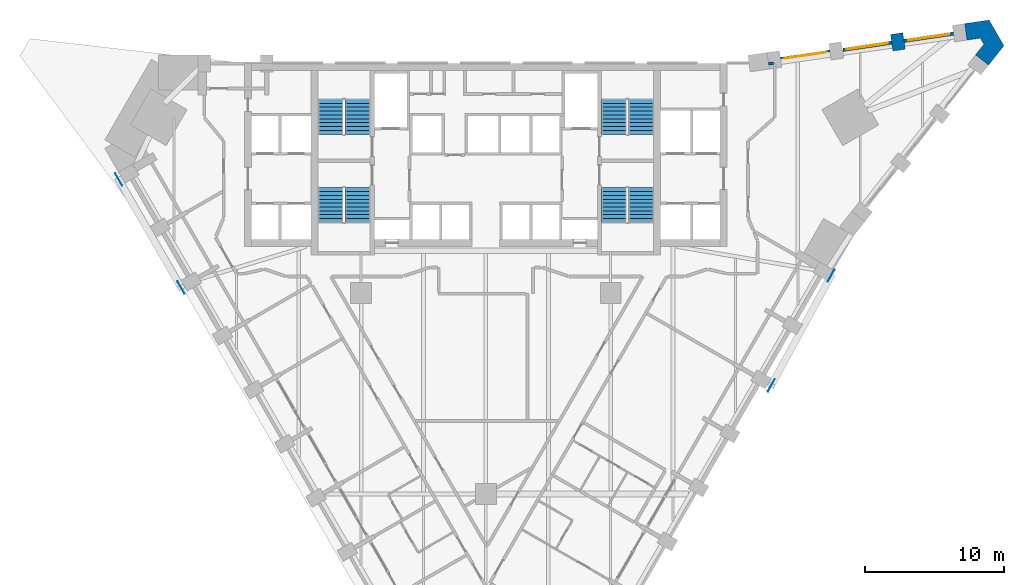
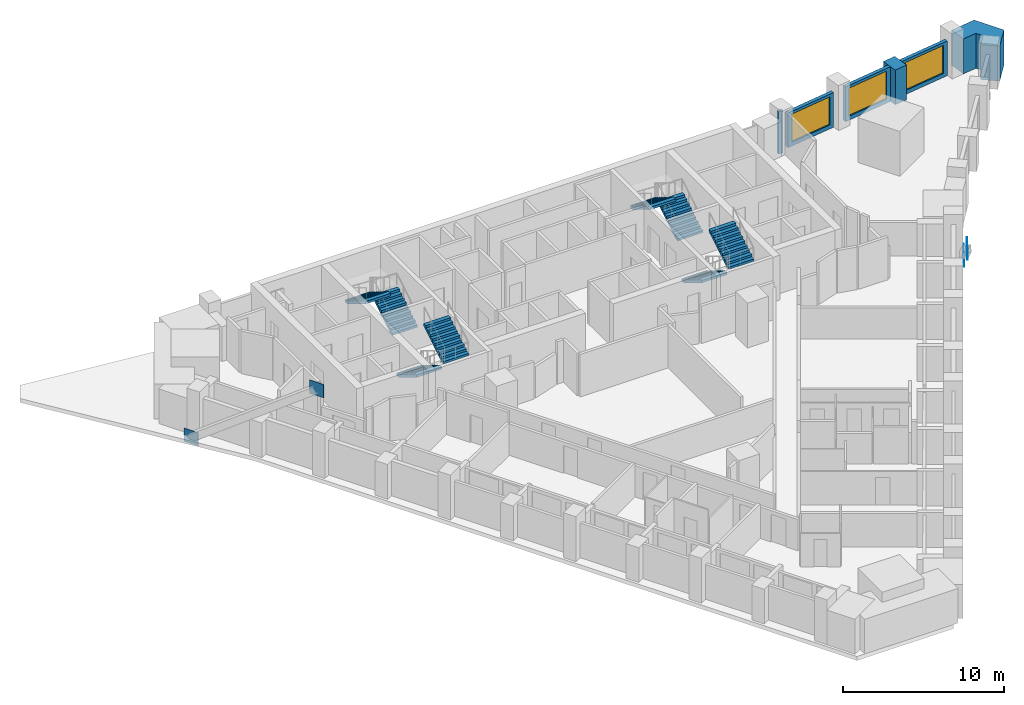
# One storey, part 9 of 10: 8 stair flights, 6 walls, 4 discrete accessories, 3 windows, 3 openings, 4 elements without a shape of their own.
"""IFC4 building model written with IfcOpenShell, lengths in metres."""

from ifc_helpers import new_model, si_unit, direction, frame, frame_2d, origin, origin_2d, place, context, subcontext, project, spatial, polyline, rectangle, outline, extrude, faceted_brep, source, transform, mapped, material, layer, layer_set, type_object, element, fill, aggregate, save


model = new_model("IFC4")

# Units and contexts
model_context = context("Model", 3, precision=1e-05, world=origin(), true_north=direction((0.0, 1.0)))
body_context = subcontext(model_context, "Body", "Model", "MODEL_VIEW")
ifc_project = project(units=[si_unit("LENGTHUNIT", "METRE"), si_unit("AREAUNIT", "SQUARE_METRE"), si_unit("VOLUMEUNIT", "CUBIC_METRE"), si_unit("PLANEANGLEUNIT", "RADIAN"), si_unit("MASSUNIT", "GRAM", prefix="KILO")], contexts=[model_context])

# Site, building, storey
site_placement = place(None, origin())
site = spatial("IfcSite", under=ifc_project, at=site_placement, CompositionType="ELEMENT")
building_placement = place(site_placement, origin())
building = spatial("IfcBuilding", under=site, at=building_placement, Name="Calabash Gate Tower", CompositionType="ELEMENT")
storey_placement = place(building_placement, frame((0.0, 0.0, 91.800048828125)))
storey = spatial("IfcBuildingStorey", under=building, at=storey_placement, Name="L19", CompositionType="ELEMENT", Elevation=91.800048828125)

# Walls
ifc_material_1 = material(Name="Terracotta brick masonry, exposed face", Category="masonry")
ifc_layer_1 = layer(ifc_material_1, 1.199951171875)
ifc_layer_set_1 = layer_set([ifc_layer_1], Name="Brick end wall 1200")
wall_type_1 = type_object("IfcWallType", Name="Brick end wall 1200", PredefinedType="SOLIDWALL", material=ifc_layer_set_1)
wall_1_placement = place(storey_placement, frame((29.63037109375, 21.217041015625, 0.0), z_axis=(0.0, 0.0, 1.0), x_axis=(0.144867198998, -0.989451107764, 0.0)))
element("IfcWall", 1, at=wall_1_placement, inside=storey, type_object=wall_type_1, Name="Brick pier S05 wedge5.1", PredefinedType="SOLIDWALL", context=body_context, shape_type="SweptSolid", body=[
    extrude(rectangle(XDim=1.199951171875, YDim=0.89990234375, at=frame_2d((0.60009765625, 0.0))), origin(), (0.0, 0.0, 1.0), 2.6298828125),
])
wall_2_placement = place(storey_placement, origin())
element("IfcWall", 2, at=wall_2_placement, inside=storey, type_object=wall_type_1, Name="Brick end wall S05 2", PredefinedType="SOLIDWALL", context=body_context, shape_type="SweptSolid", body=[
    extrude(outline(polyline([(35.92333984375, 20.443359375), (35.31884765625, 19.678955078125), (36.260009765625, 18.9345703125), (37.369873046875, 20.337890625), (36.298095703125, 22.1943359375), (34.5283203125, 21.934814453125), (34.701904296875, 20.74755859375), (35.666259765625, 20.888916015625), (35.92333984375, 20.443359375)])), origin(), (0.0, 0.0, 1.0), 2.64990234375),
])
ifc_material_2 = material(Name="Gypsum board on steel studs, mineral wool", Category="steel")
ifc_layer_2 = layer(ifc_material_2, 0.199951171875)
ifc_layer_set_2 = layer_set([ifc_layer_2], Name="Partition 200 gypsum board EI 60")
wall_type_2 = type_object("IfcWallType", Name="Partition 200 gypsum board EI 60", PredefinedType="PARTITIONING", material=ifc_layer_set_2)
wall_3_placement = place(storey_placement, frame((20.39599609375, 19.052734375, 0.0), z_axis=(0.0, 0.0, 1.0), x_axis=(1.0, 0.0, 0.0)))
element("IfcWall", 3, at=wall_3_placement, inside=storey, type_object=wall_type_2, Name="Partition", PredefinedType="PARTITIONING", context=body_context, shape_type="SweptSolid", body=[
    extrude(rectangle(XDim=0.331298828125, YDim=0.199951171875, at=frame_2d((0.16552734375, 0.0))), origin(), (0.0, 0.0, 1.0), 3.22998046875),
])

# Wall, opening, window
ifc_material_3 = material(Name="Aluminium framed window wall with insulated spandrel", Category="aluminium")
ifc_layer_3 = layer(ifc_material_3, 0.25)
ifc_layer_set_3 = layer_set([ifc_layer_3], Name="Prow window wall 250")
wall_type_3 = type_object("IfcWallType", Name="Prow window wall 250", PredefinedType="ELEMENTEDWALL", material=ifc_layer_set_3)
wall_4_placement = place(storey_placement, frame((33.724609375, 21.210693359375, 0.0), z_axis=(0.0, 0.0, 1.0), x_axis=(-0.98942335115, -0.145056651687, 0.0)))
wall_4 = element("IfcWall", 4, at=wall_4_placement, inside=storey, type_object=wall_type_3, Name="Prow window wall S05 wedge5.1", PredefinedType="ELEMENTEDWALL", context=body_context, shape_type="SweptSolid", body=[
    extrude(rectangle(XDim=3.60009765625, YDim=0.25, at=frame_2d((1.800048828125, 0.0))), origin(), (0.0, 0.0, 1.0), 2.6298828125),
])
opening_1_placement = place(wall_4_placement, frame((0.300048828125, 0.0, 0.300048828125)))
opening_1 = element("IfcOpeningElement", 5, at=opening_1_placement, cuts=wall_4, Name="Opening WP1L-2130", PredefinedType="OPENING", context=body_context, shape_type="SweptSolid", body=[
    extrude(rectangle(XDim=3.0, YDim=2.1298828125, at=frame_2d((1.5, 1.06494140625))), frame((0.0, 0.135009765625, 0.0), z_axis=(0.0, -1.0, 0.0), x_axis=(1.0, 0.0, 0.0)), (0.0, 0.0, 1.0), 0.27001953125),
])
ifc_material_4 = material(Name="Anodised aluminium frame, bronze finish, impact-rated laminated clear glazing", Category="aluminium")
window_type = type_object("IfcWindowType", Name="Window WP1L 3000x2130", PartitioningType="DOUBLE_PANEL_VERTICAL", PredefinedType="WINDOW", material=ifc_material_4)
window_1_placement = place(opening_1_placement, origin())
window_1 = element("IfcWindow", 6, at=window_1_placement, inside=storey, type_object=window_type, Name="Prow window WP1L S05 wedge5.1", OverallHeight=2.1298828125, OverallWidth=3.0, PartitioningType="SINGLE_PANEL", PredefinedType="WINDOW", context=body_context, shape_type="SweptSolid", body=[
    extrude(rectangle(XDim=3.0, YDim=2.1298828125, at=frame_2d((1.5, 1.06494140625))), frame((0.0, 0.030029296875, 0.0), z_axis=(0.0, -1.0, 0.0), x_axis=(1.0, 0.0, 0.0)), (0.0, 0.0, 1.0), 0.06005859375),
])
fill(opening_1, window_1)

wall_5_placement = place(storey_placement, frame((29.27392578125, 20.558349609375, 0.0), z_axis=(0.0, 0.0, 1.0), x_axis=(-0.989427410985, -0.145028957081, 0.0)))
wall_5 = element("IfcWall", 7, at=wall_5_placement, inside=storey, type_object=wall_type_3, Name="Prow window wall S05 wedge5.2", PredefinedType="ELEMENTEDWALL", context=body_context, shape_type="SweptSolid", body=[
    extrude(rectangle(XDim=3.552001953125, YDim=0.25, at=frame_2d((1.77587890625, 0.0))), origin(), (0.0, 0.0, 1.0), 2.6298828125),
])
opening_2_placement = place(wall_5_placement, frame((0.302001953125, 0.0, 0.300048828125)))
opening_2 = element("IfcOpeningElement", 8, at=opening_2_placement, cuts=wall_5, Name="Opening WP1L-2130", PredefinedType="OPENING", context=body_context, shape_type="SweptSolid", body=[
    extrude(rectangle(XDim=3.0, YDim=2.1298828125, at=frame_2d((1.5, 1.06494140625))), frame((0.0, 0.135009765625, 0.0), z_axis=(0.0, -1.0, 0.0), x_axis=(1.0, 0.0, 0.0)), (0.0, 0.0, 1.0), 0.27001953125),
])
window_2_placement = place(opening_2_placement, origin())
window_2 = element("IfcWindow", 9, at=window_2_placement, inside=storey, type_object=window_type, Name="Prow window WP1L S05 wedge5.2", OverallHeight=2.1298828125, OverallWidth=3.0, PartitioningType="SINGLE_PANEL", PredefinedType="WINDOW", context=body_context, shape_type="SweptSolid", body=[
    extrude(rectangle(XDim=3.0, YDim=2.1298828125, at=frame_2d((1.5, 1.06494140625))), frame((0.0, 0.030029296875, 0.0), z_axis=(0.0, -1.0, 0.0), x_axis=(1.0, 0.0, 0.0)), (0.0, 0.0, 1.0), 0.06005859375),
])
fill(opening_2, window_2)

wall_6_placement = place(storey_placement, frame((24.819580078125, 19.905517578125, 0.0), z_axis=(0.0, 0.0, 1.0), x_axis=(-0.989433082017, -0.144990262464, 0.0)))
wall_6 = element("IfcWall", 10, at=wall_6_placement, inside=storey, type_object=wall_type_3, Name="Prow window wall S05 wedge5.3", PredefinedType="ELEMENTEDWALL", context=body_context, shape_type="SweptSolid", body=[
    extrude(rectangle(XDim=3.60009765625, YDim=0.25, at=frame_2d((1.800048828125, 0.0))), origin(), (0.0, 0.0, 1.0), 2.6298828125),
])
opening_3_placement = place(wall_6_placement, frame((0.300048828125, 0.0, 0.300048828125)))
opening_3 = element("IfcOpeningElement", 11, at=opening_3_placement, cuts=wall_6, Name="Opening WP1L-2130", PredefinedType="OPENING", context=body_context, shape_type="SweptSolid", body=[
    extrude(rectangle(XDim=3.0, YDim=2.1298828125, at=frame_2d((1.5, 1.06494140625))), frame((0.0, 0.135009765625, 0.0), z_axis=(0.0, -1.0, 0.0), x_axis=(1.0, 0.0, 0.0)), (0.0, 0.0, 1.0), 0.27001953125),
])
window_3_placement = place(opening_3_placement, origin())
window_3 = element("IfcWindow", 12, at=window_3_placement, inside=storey, type_object=window_type, Name="Prow window WP1L S05 wedge5.3", OverallHeight=2.1298828125, OverallWidth=3.0, PartitioningType="SINGLE_PANEL", PredefinedType="WINDOW", context=body_context, shape_type="SweptSolid", body=[
    extrude(rectangle(XDim=3.0, YDim=2.1298828125, at=frame_2d((1.5, 1.06494140625))), frame((0.0, 0.030029296875, 0.0), z_axis=(0.0, -1.0, 0.0), x_axis=(1.0, 0.0, 0.0)), (0.0, 0.0, 1.0), 0.06005859375),
])
fill(opening_3, window_3)

# Stair, stair flights
ifc_material_5 = material(Name="Concrete C40/50", Category="concrete")
stair_type = type_object("IfcStairType", Name="Exit stair 20 risers of 170 mm", PredefinedType="HALF_TURN_STAIR", material=ifc_material_5)
stair_1_placement = place(storey_placement, origin())
stair_1 = element("IfcStair", 13, at=stair_1_placement, inside=storey, type_object=stair_type, Name="L19 Exit stair ST1", PredefinedType="HALF_TURN_STAIR")
ifc_material_6 = material(Name="Concrete C40/50", Category="concrete")
stair_flight_type = type_object("IfcStairFlightType", Name="Exit stair flight SFL", PredefinedType="STRAIGHT", material=ifc_material_6)
shared_shape = source(origin(), body_context, "Body", "Brep", [
    faceted_brep([(-0.0009765625, -0.89990234375, 0.0), (0.2880859375, -0.89990234375, 0.0), (2.511962890625, -0.89990234375, 1.3544921875), (-0.0009765625, 0.89990234375, 0.0), (2.511962890625, 0.89990234375, 1.3544921875), (0.2880859375, 0.89990234375, 0.0), (2.511962890625, -0.89990234375, 1.5419921875), (2.510986328125, -0.89990234375, 1.5419921875), (2.510986328125, 0.89990234375, 1.5419921875), (2.511962890625, 0.89990234375, 1.5419921875), (2.510986328125, -0.89990234375, 1.530029296875), (2.510986328125, 0.89990234375, 1.530029296875), (2.23193359375, -0.89990234375, 1.530029296875), (2.23193359375, 0.89990234375, 1.530029296875), (2.23193359375, -0.89990234375, 1.360107421875), (2.23193359375, 0.89990234375, 1.360107421875), (1.952880859375, -0.89990234375, 1.360107421875), (1.952880859375, 0.89990234375, 1.360107421875), (1.952880859375, -0.89990234375, 1.18994140625), (1.952880859375, 0.89990234375, 1.18994140625), (1.674072265625, -0.89990234375, 1.18994140625), (1.674072265625, -0.89990234375, 1.02001953125), (1.674072265625, 0.89990234375, 1.02001953125), (1.674072265625, 0.89990234375, 1.18994140625), (1.39501953125, -0.89990234375, 1.02001953125), (1.39501953125, -0.89990234375, 0.85009765625), (1.39501953125, 0.89990234375, 0.85009765625), (1.39501953125, 0.89990234375, 1.02001953125), (1.115966796875, -0.89990234375, 0.85009765625), (1.115966796875, -0.89990234375, 0.679931640625), (1.115966796875, 0.89990234375, 0.679931640625), (1.115966796875, 0.89990234375, 0.85009765625), (0.8369140625, -0.89990234375, 0.679931640625), (0.8369140625, -0.89990234375, 0.510009765625), (0.8369140625, 0.89990234375, 0.510009765625), (0.8369140625, 0.89990234375, 0.679931640625), (0.55810546875, -0.89990234375, 0.510009765625), (0.55810546875, -0.89990234375, 0.340087890625), (0.55810546875, 0.89990234375, 0.340087890625), (0.55810546875, 0.89990234375, 0.510009765625), (0.279052734375, -0.89990234375, 0.340087890625), (0.279052734375, -0.89990234375, 0.169921875), (0.279052734375, 0.89990234375, 0.169921875), (0.279052734375, 0.89990234375, 0.340087890625), (-0.0009765625, -0.89990234375, 0.169921875), (-0.0009765625, 0.89990234375, 0.169921875), (0.2880859375, -0.360107421875, 0.0), (2.511962890625, -0.360107421875, 1.3544921875), (0.2880859375, -0.179931640625, 0.0), (2.511962890625, -0.179931640625, 1.3544921875), (0.2880859375, 0.0, 0.0), (2.511962890625, 0.0, 1.3544921875), (0.2880859375, 0.179931640625, 0.0), (2.511962890625, 0.179931640625, 1.3544921875), (0.2880859375, 0.360107421875, 0.0), (2.511962890625, 0.360107421875, 1.3544921875), (2.511962890625, -0.360107421875, 1.5419921875), (2.511962890625, -0.179931640625, 1.5419921875), (2.511962890625, 0.0, 1.5419921875), (2.511962890625, 0.179931640625, 1.5419921875), (2.511962890625, 0.360107421875, 1.5419921875), (2.510986328125, -0.360107421875, 1.5419921875), (2.510986328125, -0.179931640625, 1.5419921875), (2.510986328125, 0.0, 1.5419921875), (2.510986328125, 0.179931640625, 1.5419921875), (2.510986328125, 0.360107421875, 1.5419921875), (2.510986328125, -0.360107421875, 1.530029296875), (2.510986328125, -0.179931640625, 1.530029296875), (2.510986328125, 0.0, 1.530029296875), (2.510986328125, 0.179931640625, 1.530029296875), (2.510986328125, 0.360107421875, 1.530029296875), (2.23193359375, -0.360107421875, 1.530029296875), (2.23193359375, -0.179931640625, 1.530029296875), (2.23193359375, 0.0, 1.530029296875), (2.23193359375, 0.179931640625, 1.530029296875), (2.23193359375, 0.360107421875, 1.530029296875), (2.23193359375, -0.360107421875, 1.360107421875), (2.23193359375, -0.179931640625, 1.360107421875), (2.23193359375, 0.0, 1.360107421875), (2.23193359375, 0.179931640625, 1.360107421875), (2.23193359375, 0.360107421875, 1.360107421875), (1.952880859375, -0.360107421875, 1.360107421875), (1.952880859375, -0.179931640625, 1.360107421875), (1.952880859375, 0.0, 1.360107421875), (1.952880859375, 0.179931640625, 1.360107421875), (1.952880859375, 0.360107421875, 1.360107421875), (1.952880859375, -0.360107421875, 1.18994140625), (1.952880859375, -0.179931640625, 1.18994140625), (1.952880859375, 0.0, 1.18994140625), (1.952880859375, 0.179931640625, 1.18994140625), (1.952880859375, 0.360107421875, 1.18994140625), (1.674072265625, -0.360107421875, 1.18994140625), (1.674072265625, -0.179931640625, 1.18994140625), (1.674072265625, 0.0, 1.18994140625), (1.674072265625, 0.179931640625, 1.18994140625), (1.674072265625, 0.360107421875, 1.18994140625), (1.674072265625, -0.360107421875, 1.02001953125), (1.674072265625, -0.179931640625, 1.02001953125), (1.674072265625, 0.0, 1.02001953125), (1.674072265625, 0.179931640625, 1.02001953125), (1.674072265625, 0.360107421875, 1.02001953125), (1.39501953125, -0.360107421875, 1.02001953125), (1.39501953125, -0.179931640625, 1.02001953125), (1.39501953125, 0.0, 1.02001953125), (1.39501953125, 0.179931640625, 1.02001953125), (1.39501953125, 0.360107421875, 1.02001953125), (1.39501953125, -0.360107421875, 0.85009765625), (1.39501953125, -0.179931640625, 0.85009765625), (1.39501953125, 0.0, 0.85009765625), (1.39501953125, 0.179931640625, 0.85009765625), (1.39501953125, 0.360107421875, 0.85009765625), (1.115966796875, -0.360107421875, 0.85009765625), (1.115966796875, -0.179931640625, 0.85009765625), (1.115966796875, 0.0, 0.85009765625), (1.115966796875, 0.179931640625, 0.85009765625), (1.115966796875, 0.360107421875, 0.85009765625), (1.115966796875, -0.360107421875, 0.679931640625), (1.115966796875, -0.179931640625, 0.679931640625), (1.115966796875, 0.0, 0.679931640625), (1.115966796875, 0.179931640625, 0.679931640625), (1.115966796875, 0.360107421875, 0.679931640625), (0.8369140625, -0.360107421875, 0.679931640625), (0.8369140625, -0.179931640625, 0.679931640625), (0.8369140625, 0.0, 0.679931640625), (0.8369140625, 0.179931640625, 0.679931640625), (0.8369140625, 0.360107421875, 0.679931640625), (0.8369140625, -0.360107421875, 0.510009765625), (0.8369140625, -0.179931640625, 0.510009765625), (0.8369140625, 0.0, 0.510009765625), (0.8369140625, 0.179931640625, 0.510009765625), (0.8369140625, 0.360107421875, 0.510009765625), (0.55810546875, -0.360107421875, 0.510009765625), (0.55810546875, -0.179931640625, 0.510009765625), (0.55810546875, 0.0, 0.510009765625), (0.55810546875, 0.179931640625, 0.510009765625), (0.55810546875, 0.360107421875, 0.510009765625), (0.55810546875, -0.360107421875, 0.340087890625), (0.55810546875, -0.179931640625, 0.340087890625), (0.55810546875, 0.0, 0.340087890625), (0.55810546875, 0.179931640625, 0.340087890625), (0.55810546875, 0.360107421875, 0.340087890625), (0.279052734375, -0.360107421875, 0.340087890625), (0.279052734375, -0.179931640625, 0.340087890625), (0.279052734375, 0.0, 0.340087890625), (0.279052734375, 0.179931640625, 0.340087890625), (0.279052734375, 0.360107421875, 0.340087890625), (0.279052734375, -0.360107421875, 0.169921875), (0.279052734375, -0.179931640625, 0.169921875), (0.279052734375, 0.0, 0.169921875), (0.279052734375, 0.179931640625, 0.169921875), (0.279052734375, 0.360107421875, 0.169921875), (-0.0009765625, -0.360107421875, 0.169921875), (-0.0009765625, -0.179931640625, 0.169921875), (-0.0009765625, 0.0, 0.169921875), (-0.0009765625, 0.179931640625, 0.169921875), (-0.0009765625, 0.360107421875, 0.169921875), (-0.0009765625, -0.360107421875, 0.0), (-0.0009765625, -0.179931640625, 0.0), (-0.0009765625, 0.0, 0.0), (-0.0009765625, 0.179931640625, 0.0), (-0.0009765625, 0.360107421875, 0.0)], [[[0, 1, 2]], [[3, 4, 5]], [[2, 6, 7]], [[4, 8, 9]], [[2, 7, 10]], [[4, 11, 8]], [[2, 10, 12]], [[4, 13, 11]], [[2, 12, 14]], [[4, 15, 13]], [[2, 14, 16]], [[4, 17, 15]], [[2, 16, 18]], [[4, 19, 17]], [[18, 20, 21]], [[19, 22, 23]], [[2, 18, 21]], [[4, 22, 19]], [[21, 24, 25]], [[22, 26, 27]], [[2, 21, 25]], [[4, 26, 22]], [[25, 28, 29]], [[26, 30, 31]], [[2, 25, 29]], [[4, 30, 26]], [[29, 32, 33]], [[30, 34, 35]], [[2, 29, 33]], [[4, 34, 30]], [[33, 36, 37]], [[34, 38, 39]], [[2, 33, 37]], [[4, 38, 34]], [[37, 40, 41]], [[38, 42, 43]], [[2, 37, 41]], [[4, 42, 38]], [[0, 2, 41]], [[3, 42, 4]], [[41, 44, 0]], [[42, 3, 45]], [[1, 46, 2]], [[46, 47, 2]], [[46, 48, 47]], [[48, 49, 47]], [[48, 50, 49]], [[50, 51, 49]], [[50, 52, 53]], [[50, 53, 51]], [[52, 54, 55]], [[52, 55, 53]], [[54, 5, 4]], [[54, 4, 55]], [[2, 47, 6]], [[47, 56, 6]], [[47, 49, 56]], [[49, 57, 56]], [[49, 51, 57]], [[51, 58, 57]], [[51, 53, 59]], [[51, 59, 58]], [[53, 55, 60]], [[53, 60, 59]], [[55, 4, 9]], [[55, 9, 60]], [[6, 56, 7]], [[56, 61, 7]], [[56, 57, 61]], [[57, 62, 61]], [[57, 58, 62]], [[58, 63, 62]], [[58, 59, 64]], [[58, 64, 63]], [[59, 60, 65]], [[59, 65, 64]], [[60, 9, 8]], [[60, 8, 65]], [[7, 61, 10]], [[61, 66, 10]], [[61, 62, 66]], [[62, 67, 66]], [[62, 63, 67]], [[63, 68, 67]], [[63, 64, 69]], [[63, 69, 68]], [[64, 65, 70]], [[64, 70, 69]], [[65, 8, 11]], [[65, 11, 70]], [[10, 66, 12]], [[66, 71, 12]], [[66, 67, 71]], [[67, 72, 71]], [[67, 68, 72]], [[68, 73, 72]], [[68, 69, 74]], [[68, 74, 73]], [[69, 70, 75]], [[69, 75, 74]], [[70, 11, 13]], [[70, 13, 75]], [[12, 71, 14]], [[71, 76, 14]], [[71, 72, 76]], [[72, 77, 76]], [[72, 73, 77]], [[73, 78, 77]], [[73, 74, 79]], [[73, 79, 78]], [[74, 75, 80]], [[74, 80, 79]], [[75, 13, 15]], [[75, 15, 80]], [[14, 76, 16]], [[76, 81, 16]], [[76, 77, 81]], [[77, 82, 81]], [[77, 78, 82]], [[78, 83, 82]], [[78, 79, 84]], [[78, 84, 83]], [[79, 80, 85]], [[79, 85, 84]], [[80, 15, 17]], [[80, 17, 85]], [[16, 81, 18]], [[81, 86, 18]], [[81, 82, 86]], [[82, 87, 86]], [[82, 83, 87]], [[83, 88, 87]], [[83, 84, 89]], [[83, 89, 88]], [[84, 85, 90]], [[84, 90, 89]], [[85, 17, 19]], [[85, 19, 90]], [[18, 86, 20]], [[86, 91, 20]], [[86, 87, 91]], [[87, 92, 91]], [[87, 88, 92]], [[88, 93, 92]], [[88, 89, 94]], [[88, 94, 93]], [[89, 90, 95]], [[89, 95, 94]], [[90, 19, 23]], [[90, 23, 95]], [[20, 91, 21]], [[91, 96, 21]], [[91, 92, 96]], [[92, 97, 96]], [[92, 93, 97]], [[93, 98, 97]], [[93, 94, 99]], [[93, 99, 98]], [[94, 95, 100]], [[94, 100, 99]], [[95, 23, 22]], [[95, 22, 100]], [[21, 96, 24]], [[96, 101, 24]], [[96, 97, 101]], [[97, 102, 101]], [[97, 98, 102]], [[98, 103, 102]], [[98, 99, 104]], [[98, 104, 103]], [[99, 100, 105]], [[99, 105, 104]], [[100, 22, 27]], [[100, 27, 105]], [[24, 101, 25]], [[101, 106, 25]], [[101, 102, 106]], [[102, 107, 106]], [[102, 103, 107]], [[103, 108, 107]], [[103, 104, 109]], [[103, 109, 108]], [[104, 105, 110]], [[104, 110, 109]], [[105, 27, 26]], [[105, 26, 110]], [[25, 106, 28]], [[106, 111, 28]], [[106, 107, 111]], [[107, 112, 111]], [[107, 108, 112]], [[108, 113, 112]], [[108, 109, 114]], [[108, 114, 113]], [[109, 110, 115]], [[109, 115, 114]], [[110, 26, 31]], [[110, 31, 115]], [[28, 111, 29]], [[111, 116, 29]], [[111, 112, 116]], [[112, 117, 116]], [[112, 113, 117]], [[113, 118, 117]], [[113, 114, 119]], [[113, 119, 118]], [[114, 115, 120]], [[114, 120, 119]], [[115, 31, 30]], [[115, 30, 120]], [[29, 116, 32]], [[116, 121, 32]], [[116, 117, 121]], [[117, 122, 121]], [[117, 118, 122]], [[118, 123, 122]], [[118, 119, 124]], [[118, 124, 123]], [[119, 120, 125]], [[119, 125, 124]], [[120, 30, 35]], [[120, 35, 125]], [[32, 121, 33]], [[121, 126, 33]], [[121, 122, 126]], [[122, 127, 126]], [[122, 123, 127]], [[123, 128, 127]], [[123, 124, 129]], [[123, 129, 128]], [[124, 125, 130]], [[124, 130, 129]], [[125, 35, 34]], [[125, 34, 130]], [[33, 126, 36]], [[126, 131, 36]], [[126, 127, 131]], [[127, 132, 131]], [[127, 128, 132]], [[128, 133, 132]], [[128, 129, 134]], [[128, 134, 133]], [[129, 130, 135]], [[129, 135, 134]], [[130, 34, 39]], [[130, 39, 135]], [[36, 131, 37]], [[131, 136, 37]], [[131, 132, 136]], [[132, 137, 136]], [[132, 133, 137]], [[133, 138, 137]], [[133, 134, 139]], [[133, 139, 138]], [[134, 135, 140]], [[134, 140, 139]], [[135, 39, 38]], [[135, 38, 140]], [[37, 136, 40]], [[136, 141, 40]], [[136, 137, 141]], [[137, 142, 141]], [[137, 138, 142]], [[138, 143, 142]], [[138, 139, 144]], [[138, 144, 143]], [[139, 140, 145]], [[139, 145, 144]], [[140, 38, 43]], [[140, 43, 145]], [[40, 141, 41]], [[141, 146, 41]], [[141, 142, 146]], [[142, 147, 146]], [[142, 143, 147]], [[143, 148, 147]], [[143, 144, 149]], [[143, 149, 148]], [[144, 145, 150]], [[144, 150, 149]], [[145, 43, 42]], [[145, 42, 150]], [[41, 146, 44]], [[146, 151, 44]], [[146, 147, 151]], [[147, 152, 151]], [[147, 148, 152]], [[148, 153, 152]], [[148, 149, 154]], [[148, 154, 153]], [[149, 150, 155]], [[149, 155, 154]], [[150, 42, 45]], [[150, 45, 155]], [[44, 151, 0]], [[151, 156, 0]], [[151, 152, 156]], [[152, 157, 156]], [[152, 153, 157]], [[153, 158, 157]], [[153, 154, 159]], [[153, 159, 158]], [[154, 155, 160]], [[154, 160, 159]], [[155, 45, 3]], [[155, 3, 160]], [[0, 156, 1]], [[156, 46, 1]], [[156, 157, 46]], [[157, 48, 46]], [[157, 158, 48]], [[158, 50, 48]], [[158, 159, 52]], [[158, 52, 50]], [[159, 160, 54]], [[159, 54, 52]], [[160, 3, 5]], [[160, 5, 54]]]),
])
stair_flight_1_placement = place(storey_placement, frame((-9.25, 13.95263671875, 0.0), z_axis=(0.0, 0.0, 1.0), x_axis=(0.0, 1.0, 0.0)))
stair_flight_1 = element("IfcStairFlight", 14, at=stair_flight_1_placement, type_object=stair_flight_type, Name="ST1 flight 1", NumberOfRisers=10, NumberOfTreads=9, PredefinedType="STRAIGHT", RiserHeight=0.17, TreadLength=0.279, context=body_context, shape_type="MappedRepresentation", body=[
    mapped(shared_shape, transform((0.0, 0.0, 0.0), scale=1.0)),
])
stair_flight_2_placement = place(storey_placement, frame((-11.199951171875, 16.463623046875, 1.699951171875), z_axis=(0.0, 0.0, 1.0), x_axis=(0.0, -1.0, 0.0)))
stair_flight_2 = element("IfcStairFlight", 15, at=stair_flight_2_placement, type_object=stair_flight_type, Name="ST1 flight 2", NumberOfRisers=10, NumberOfTreads=9, PredefinedType="STRAIGHT", RiserHeight=0.17, TreadLength=0.279, context=body_context, shape_type="MappedRepresentation", body=[
    mapped(shared_shape, transform((0.0, 0.0, 0.0), scale=1.0)),
])
aggregate(stair_1, [stair_flight_1, stair_flight_2])

stair_2_placement = place(storey_placement, origin())
stair_2 = element("IfcStair", 16, at=stair_2_placement, inside=storey, type_object=stair_type, Name="L19 Exit stair ST2", PredefinedType="HALF_TURN_STAIR")
stair_flight_3_placement = place(storey_placement, frame((-11.199951171875, 10.1025390625, 0.0), z_axis=(0.0, 0.0, 1.0), x_axis=(0.0, -1.0, 0.0)))
stair_flight_3 = element("IfcStairFlight", 17, at=stair_flight_3_placement, type_object=stair_flight_type, Name="ST2 flight 1", NumberOfRisers=10, NumberOfTreads=9, PredefinedType="STRAIGHT", RiserHeight=0.17, TreadLength=0.279, context=body_context, shape_type="MappedRepresentation", body=[
    mapped(shared_shape, transform((0.0, 0.0, 0.0), scale=1.0)),
])
stair_flight_4_placement = place(storey_placement, frame((-9.25, 7.591552734375, 1.699951171875), z_axis=(0.0, 0.0, 1.0), x_axis=(0.0, 1.0, 0.0)))
stair_flight_4 = element("IfcStairFlight", 18, at=stair_flight_4_placement, type_object=stair_flight_type, Name="ST2 flight 2", NumberOfRisers=10, NumberOfTreads=9, PredefinedType="STRAIGHT", RiserHeight=0.17, TreadLength=0.279, context=body_context, shape_type="MappedRepresentation", body=[
    mapped(shared_shape, transform((0.0, 0.0, 0.0), scale=1.0)),
])
aggregate(stair_2, [stair_flight_3, stair_flight_4])

stair_3_placement = place(storey_placement, origin())
stair_3 = element("IfcStair", 19, at=stair_3_placement, inside=storey, type_object=stair_type, Name="L19 Exit stair ST3", PredefinedType="HALF_TURN_STAIR")
stair_flight_5_placement = place(storey_placement, frame((11.199951171875, 13.95263671875, 0.0), z_axis=(0.0, 0.0, 1.0), x_axis=(0.0, 1.0, 0.0)))
stair_flight_5 = element("IfcStairFlight", 20, at=stair_flight_5_placement, type_object=stair_flight_type, Name="ST3 flight 1", NumberOfRisers=10, NumberOfTreads=9, PredefinedType="STRAIGHT", RiserHeight=0.17, TreadLength=0.279, context=body_context, shape_type="MappedRepresentation", body=[
    mapped(shared_shape, transform((0.0, 0.0, 0.0), scale=1.0)),
])
stair_flight_6_placement = place(storey_placement, frame((9.25, 16.463623046875, 1.699951171875), z_axis=(0.0, 0.0, 1.0), x_axis=(0.0, -1.0, 0.0)))
stair_flight_6 = element("IfcStairFlight", 21, at=stair_flight_6_placement, type_object=stair_flight_type, Name="ST3 flight 2", NumberOfRisers=10, NumberOfTreads=9, PredefinedType="STRAIGHT", RiserHeight=0.17, TreadLength=0.279, context=body_context, shape_type="MappedRepresentation", body=[
    mapped(shared_shape, transform((0.0, 0.0, 0.0), scale=1.0)),
])
aggregate(stair_3, [stair_flight_5, stair_flight_6])

stair_4_placement = place(storey_placement, origin())
stair_4 = element("IfcStair", 22, at=stair_4_placement, inside=storey, type_object=stair_type, Name="L19 Exit stair ST4", PredefinedType="HALF_TURN_STAIR")
stair_flight_7_placement = place(storey_placement, frame((9.25, 10.1025390625, 0.0), z_axis=(0.0, 0.0, 1.0), x_axis=(0.0, -1.0, 0.0)))
stair_flight_7 = element("IfcStairFlight", 23, at=stair_flight_7_placement, type_object=stair_flight_type, Name="ST4 flight 1", NumberOfRisers=10, NumberOfTreads=9, PredefinedType="STRAIGHT", RiserHeight=0.17, TreadLength=0.279, context=body_context, shape_type="MappedRepresentation", body=[
    mapped(shared_shape, transform((0.0, 0.0, 0.0), scale=1.0)),
])
stair_flight_8_placement = place(storey_placement, frame((11.199951171875, 7.591552734375, 1.699951171875), z_axis=(0.0, 0.0, 1.0), x_axis=(0.0, 1.0, 0.0)))
stair_flight_8 = element("IfcStairFlight", 24, at=stair_flight_8_placement, type_object=stair_flight_type, Name="ST4 flight 2", NumberOfRisers=10, NumberOfTreads=9, PredefinedType="STRAIGHT", RiserHeight=0.17, TreadLength=0.279, context=body_context, shape_type="MappedRepresentation", body=[
    mapped(shared_shape, transform((0.0, 0.0, 0.0), scale=1.0)),
])
aggregate(stair_4, [stair_flight_7, stair_flight_8])

# Discrete accessories
ifc_material_7 = material(Name="Steel ASTM A572 Gr50", Category="steel")
discrete_accessory_type = type_object("IfcDiscreteAccessoryType", Name="Connection plate 25", PredefinedType="BRACKET", material=ifc_material_7)
for number, where, z_axis, x_axis, name in (
    (25, (-26.480224609375, 10.6923828125, -0.50634765625), (0.0, 0.0, 1.0), (0.50000003023, -0.866025386331, 0.0), "Connection plate Mega-brace SW Z2 11 start"),
    (26, (-21.980224609375, 2.898193359375, 6.293701171875), (0.0, 0.0, 1.0), (0.50000003023, -0.866025386331, 0.0), "Connection plate Mega-brace SW Z2 11 end"),
    (27, (24.89794921875, 3.748046875, -0.50634765625), (0.0, 0.0, 1.0), (-0.47885714614, -0.877892837191, 0.0), "Connection plate Mega-brace SE Z2 16 start"),
    (28, (20.587158203125, -4.1552734375, 6.293701171875), (0.0, 0.0, 1.0), (-0.47885714614, -0.877892837191, 0.0), "Connection plate Mega-brace SE Z2 16 end"),
):
    element("IfcDiscreteAccessory", number, at=place(storey_placement, frame(where, z_axis=z_axis, x_axis=x_axis)), inside=storey, type_object=discrete_accessory_type, Name=name, PredefinedType="BRACKET", context=body_context, shape_type="SweptSolid", body=[
        extrude(rectangle(XDim=1.0126953125, YDim=0.02490234375, at=origin_2d()), origin(), (0.0, 0.0, 1.0), 1.0126953125),
    ])

save(model, "model.ifc")
